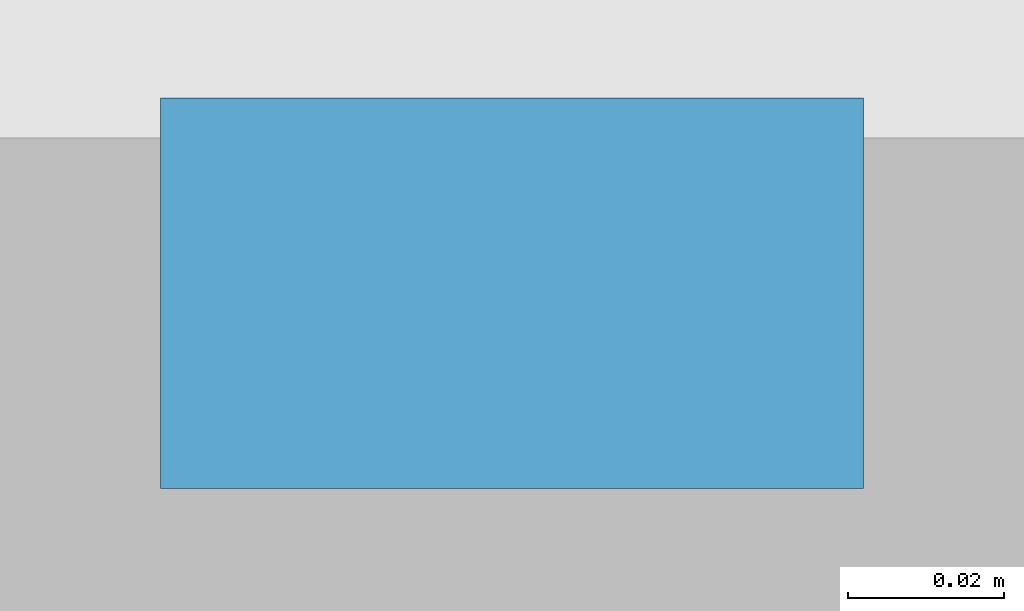
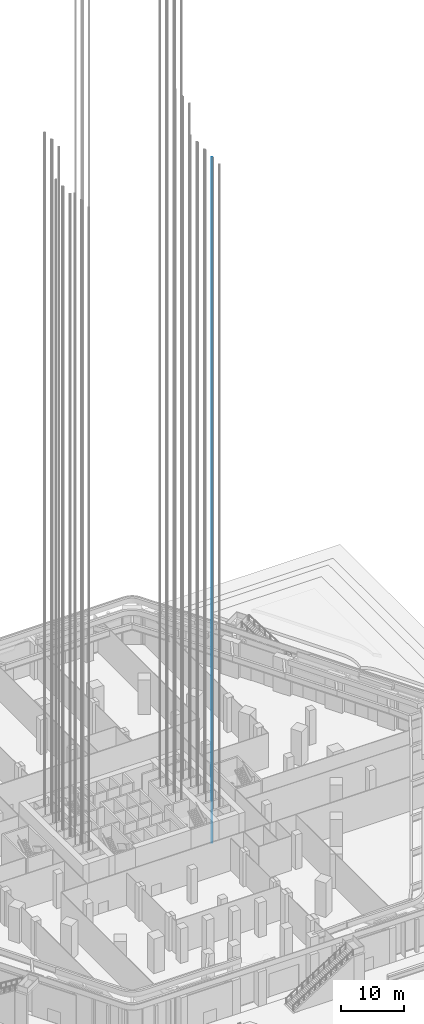
# One storey, part 45 of 68: 1 discrete accessory.
"""IFC4 building model written with IfcOpenShell, lengths in metres."""

from ifc_helpers import new_model, si_unit, direction, frame, origin, origin_2d, place, context, subcontext, project, spatial, rectangle, extrude, element, save


model = new_model("IFC4")

# Units and contexts
model_context = context("Model", 3, precision=1e-05, world=origin(), true_north=direction((0.0, 1.0)))
body_context = subcontext(model_context, "Body", "Model", "MODEL_VIEW")
ifc_project = project(units=[si_unit("LENGTHUNIT", "METRE"), si_unit("AREAUNIT", "SQUARE_METRE"), si_unit("VOLUMEUNIT", "CUBIC_METRE"), si_unit("PLANEANGLEUNIT", "RADIAN"), si_unit("MASSUNIT", "GRAM", prefix="KILO")], contexts=[model_context])

# Site, building, storey
site_placement = place(None, origin())
site = spatial("IfcSite", under=ifc_project, at=site_placement, CompositionType="ELEMENT")
building_placement = place(site_placement, origin())
building = spatial("IfcBuilding", under=site, at=building_placement, Name="Kolab Exchange Tower", CompositionType="ELEMENT")
storey_placement = place(building_placement, origin())
storey = spatial("IfcBuildingStorey", under=building, at=storey_placement, Name="L00", CompositionType="ELEMENT", Elevation=0.0)

# Discrete accessory
discrete_accessory_placement = place(storey_placement, frame((12.0, -4.669921875, -1.599853515625), z_axis=(0.0, 0.0, 1.0), x_axis=(1.0, 0.0, 0.0)))
element("IfcDiscreteAccessory", 1, at=discrete_accessory_placement, inside=storey, Name="Guide rail LR2-1", ObjectType="GUIDE RAIL", PredefinedType="USERDEFINED", context=body_context, shape_type="SweptSolid", body=[
    extrude(rectangle(XDim=0.090087890625, YDim=0.050048828125, at=origin_2d()), origin(), (0.0, 0.0, 1.0), 133.39990234375),
])

save(model, "model.ifc")
